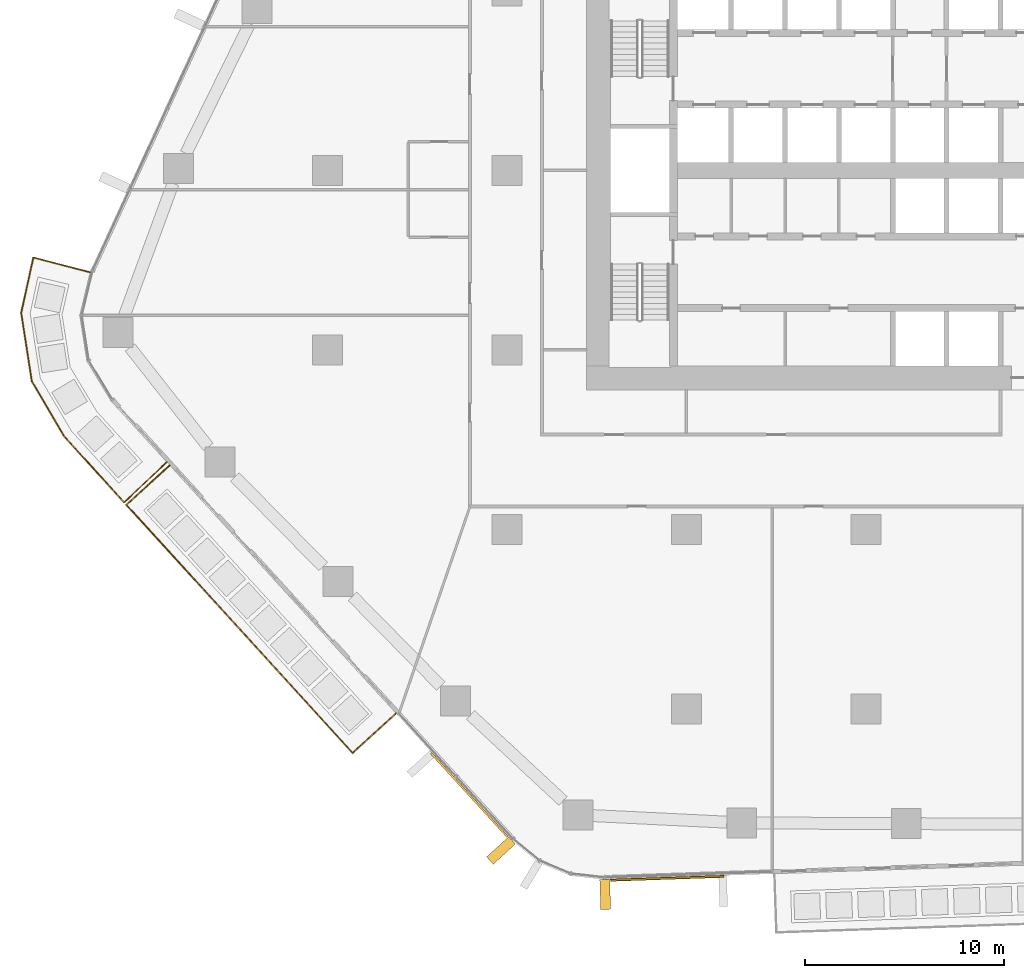
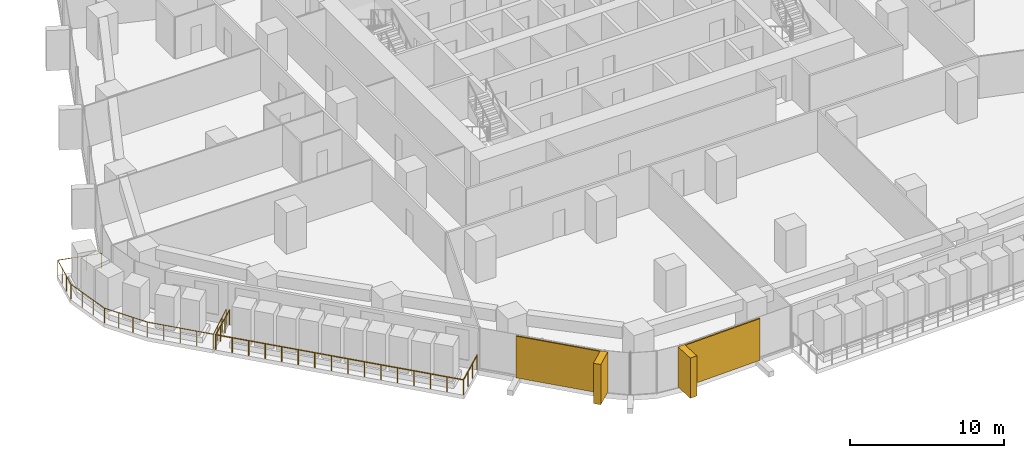
# One storey, part 19 of 26: 4 coverings, 2 railings, 2 elements without a shape of their own.
"""IFC4 building model written with IfcOpenShell, lengths in metres."""

from ifc_helpers import new_model, si_unit, direction, frame, origin, origin_2d, place, context, subcontext, project, spatial, rectangle, circle, extrude, material, layer, layer_set, material_profile, profile_set, type_object, element, aggregate, save


model = new_model("IFC4")

# Units and contexts
model_context = context("Model", 3, precision=1e-05, world=origin(), true_north=direction((0.0, 1.0)))
body_context = subcontext(model_context, "Body", "Model", "MODEL_VIEW")
ifc_project = project(units=[si_unit("LENGTHUNIT", "METRE"), si_unit("AREAUNIT", "SQUARE_METRE"), si_unit("VOLUMEUNIT", "CUBIC_METRE"), si_unit("PLANEANGLEUNIT", "RADIAN"), si_unit("MASSUNIT", "GRAM", prefix="KILO")], contexts=[model_context])

# Site, building, storey
site_placement = place(None, origin())
site = spatial("IfcSite", under=ifc_project, at=site_placement, CompositionType="ELEMENT")
building_placement = place(site_placement, origin())
building = spatial("IfcBuilding", under=site, at=building_placement, Name="Dongbaek Canopy Tower", CompositionType="ELEMENT")
storey_placement = place(building_placement, frame((0.0, 0.0, 69.89990234375)))
storey = spatial("IfcBuildingStorey", under=building, at=storey_placement, Name="L13", CompositionType="ELEMENT", Elevation=69.89990234375)

# Railings
ifc_material_1 = material(Name="Stainless steel", Category="steel")
railing_type = type_object("IfcRailingType", Name="Balcony balustrade 1200", PredefinedType="BALUSTRADE", material=ifc_material_1)
railing_1_placement = place(storey_placement, frame((-34.905517578125, -14.78515625, 0.0)))
element("IfcRailing", 1, at=railing_1_placement, inside=storey, type_object=railing_type, Name="Balcony guard L13 3", PredefinedType="BALUSTRADE", context=body_context, shape_type="SweptSolid", body=[
    extrude(circle(Radius=0.02392578125, at=origin_2d()), frame((0.0, 0.0, 1.17578125), z_axis=(-0.738751516829, -0.673977890129, 0.0), x_axis=(0.673977890129, -0.738751516829, 0.0)), (0.0, 0.0, 1.0), 2.93994140625),
    extrude(circle(Radius=0.02392578125, at=origin_2d()), frame((-2.171875, -1.9814453125, 1.17578125), z_axis=(0.674009340344, -0.738722822938, 0.0), x_axis=(0.738722822938, 0.674009340344, 0.0)), (0.0, 0.0, 1.0), 16.83349609375),
    extrude(circle(Radius=0.02392578125, at=origin_2d()), frame((9.174072265625, -14.416748046875, 1.17578125), z_axis=(0.738751516829, 0.673977890129, 0.0), x_axis=(-0.673977890129, 0.738751516829, 0.0)), (0.0, 0.0, 1.0), 2.93994140625),
    extrude(circle(Radius=0.02099609375, at=origin_2d()), origin(), (0.0, 0.0, 1.0), 1.15185546875),
    extrude(circle(Radius=0.02099609375, at=origin_2d()), frame((-0.723876953125, -0.660400390625, 0.0)), (0.0, 0.0, 1.0), 1.15185546875),
    extrude(circle(Radius=0.02099609375, at=origin_2d()), frame((-1.447998046875, -1.321044921875, 0.0)), (0.0, 0.0, 1.0), 1.15185546875),
    extrude(circle(Radius=0.02099609375, at=origin_2d()), frame((-2.171875, -1.9814453125, 0.0)), (0.0, 0.0, 1.0), 1.15185546875),
    extrude(circle(Radius=0.02099609375, at=origin_2d()), frame((-1.41552734375, -2.810546875, 0.0)), (0.0, 0.0, 1.0), 1.15185546875),
    extrude(circle(Radius=0.02099609375, at=origin_2d()), frame((-0.6591796875, -3.639404296875, 0.0)), (0.0, 0.0, 1.0), 1.15185546875),
    extrude(circle(Radius=0.02099609375, at=origin_2d()), frame((0.097412109375, -4.468505859375, 0.0)), (0.0, 0.0, 1.0), 1.15185546875),
    extrude(circle(Radius=0.02099609375, at=origin_2d()), frame((0.853759765625, -5.297607421875, 0.0)), (0.0, 0.0, 1.0), 1.15185546875),
    extrude(circle(Radius=0.02099609375, at=origin_2d()), frame((1.610107421875, -6.12646484375, 0.0)), (0.0, 0.0, 1.0), 1.15185546875),
    extrude(circle(Radius=0.02099609375, at=origin_2d()), frame((2.366455078125, -6.95556640625, 0.0)), (0.0, 0.0, 1.0), 1.15185546875),
    extrude(circle(Radius=0.02099609375, at=origin_2d()), frame((3.122802734375, -7.78466796875, 0.0)), (0.0, 0.0, 1.0), 1.15185546875),
    extrude(circle(Radius=0.02099609375, at=origin_2d()), frame((3.87939453125, -8.613525390625, 0.0)), (0.0, 0.0, 1.0), 1.15185546875),
    extrude(circle(Radius=0.02099609375, at=origin_2d()), frame((4.6357421875, -9.442626953125, 0.0)), (0.0, 0.0, 1.0), 1.15185546875),
    extrude(circle(Radius=0.02099609375, at=origin_2d()), frame((5.39208984375, -10.271728515625, 0.0)), (0.0, 0.0, 1.0), 1.15185546875),
    extrude(circle(Radius=0.02099609375, at=origin_2d()), frame((6.1484375, -11.1005859375, 0.0)), (0.0, 0.0, 1.0), 1.15185546875),
    extrude(circle(Radius=0.02099609375, at=origin_2d()), frame((6.90478515625, -11.9296875, 0.0)), (0.0, 0.0, 1.0), 1.15185546875),
    extrude(circle(Radius=0.02099609375, at=origin_2d()), frame((7.661376953125, -12.7587890625, 0.0)), (0.0, 0.0, 1.0), 1.15185546875),
    extrude(circle(Radius=0.02099609375, at=origin_2d()), frame((8.417724609375, -13.587646484375, 0.0)), (0.0, 0.0, 1.0), 1.15185546875),
    extrude(circle(Radius=0.02099609375, at=origin_2d()), frame((9.174072265625, -14.416748046875, 0.0)), (0.0, 0.0, 1.0), 1.15185546875),
    extrude(circle(Radius=0.02099609375, at=origin_2d()), frame((9.89794921875, -13.75634765625, 0.0)), (0.0, 0.0, 1.0), 1.15185546875),
    extrude(circle(Radius=0.02099609375, at=origin_2d()), frame((10.6220703125, -13.095703125, 0.0)), (0.0, 0.0, 1.0), 1.15185546875),
    extrude(circle(Radius=0.02099609375, at=origin_2d()), frame((11.345947265625, -12.435302734375, 0.0)), (0.0, 0.0, 1.0), 1.15185546875),
])
railing_2_placement = place(storey_placement, frame((-38.897216796875, -5.109130859375, 0.0)))
element("IfcRailing", 2, at=railing_2_placement, inside=storey, type_object=railing_type, Name="Balcony guard L13 7", PredefinedType="BALUSTRADE", context=body_context, shape_type="SweptSolid", body=[
    extrude(circle(Radius=0.02392578125, at=origin_2d()), frame((0.0, 0.0, 1.17578125), z_axis=(-0.967279624391, 0.253712688365, 0.0), x_axis=(-0.253712688365, -0.967279624391, 0.0)), (0.0, 0.0, 1.0), 2.940673828125),
    extrude(circle(Radius=0.02392578125, at=origin_2d()), frame((-2.844482421875, 0.74609375, 1.17578125), z_axis=(-0.214860147072, -0.976644826536, 0.0), x_axis=(0.976644826536, -0.214860147072, 0.0)), (0.0, 0.0, 1.0), 2.847412109375),
    extrude(circle(Radius=0.02392578125, at=origin_2d()), frame((-3.456298828125, -2.034912109375, 1.17578125), z_axis=(0.15356492792, -0.988138559572, 0.0), x_axis=(0.988138559572, 0.15356492792, 0.0)), (0.0, 0.0, 1.0), 3.46728515625),
    extrude(circle(Radius=0.02392578125, at=origin_2d()), frame((-2.923828125, -5.461181640625, 1.17578125), z_axis=(0.506738590349, -0.862099762818, 0.0), x_axis=(0.862099762818, 0.506738590349, 0.0)), (0.0, 0.0, 1.0), 3.18359375),
    extrude(circle(Radius=0.02392578125, at=origin_2d()), frame((-1.310546875, -8.205810546875, 1.17578125), z_axis=(0.671700008883, -0.74082325697, 0.0), x_axis=(0.74082325697, 0.671700008883, 0.0)), (0.0, 0.0, 1.0), 4.499755859375),
    extrude(circle(Radius=0.02392578125, at=origin_2d()), frame((1.7119140625, -11.539306640625, 1.17578125), z_axis=(0.724812845039, 0.688945817656, 0.0), x_axis=(-0.688945817656, 0.724812845039, 0.0)), (0.0, 0.0, 1.0), 2.9404296875),
    extrude(circle(Radius=0.02099609375, at=origin_2d()), origin(), (0.0, 0.0, 1.0), 1.15185546875),
    extrude(circle(Radius=0.02099609375, at=origin_2d()), frame((-0.9482421875, 0.248779296875, 0.0)), (0.0, 0.0, 1.0), 1.15185546875),
    extrude(circle(Radius=0.02099609375, at=origin_2d()), frame((-1.896240234375, 0.497314453125, 0.0)), (0.0, 0.0, 1.0), 1.15185546875),
    extrude(circle(Radius=0.02099609375, at=origin_2d()), frame((-2.844482421875, 0.74609375, 0.0)), (0.0, 0.0, 1.0), 1.15185546875),
    extrude(circle(Radius=0.02099609375, at=origin_2d()), frame((-3.04833984375, -0.180908203125, 0.0)), (0.0, 0.0, 1.0), 1.15185546875),
    extrude(circle(Radius=0.02099609375, at=origin_2d()), frame((-3.25244140625, -1.10791015625, 0.0)), (0.0, 0.0, 1.0), 1.15185546875),
    extrude(circle(Radius=0.02099609375, at=origin_2d()), frame((-3.456298828125, -2.034912109375, 0.0)), (0.0, 0.0, 1.0), 1.15185546875),
    extrude(circle(Radius=0.02099609375, at=origin_2d()), frame((-3.27880859375, -3.177001953125, 0.0)), (0.0, 0.0, 1.0), 1.15185546875),
    extrude(circle(Radius=0.02099609375, at=origin_2d()), frame((-3.101318359375, -4.319091796875, 0.0)), (0.0, 0.0, 1.0), 1.15185546875),
    extrude(circle(Radius=0.02099609375, at=origin_2d()), frame((-2.923828125, -5.461181640625, 0.0)), (0.0, 0.0, 1.0), 1.15185546875),
    extrude(circle(Radius=0.02099609375, at=origin_2d()), frame((-2.385986328125, -6.3759765625, 0.0)), (0.0, 0.0, 1.0), 1.15185546875),
    extrude(circle(Radius=0.02099609375, at=origin_2d()), frame((-1.848388671875, -7.291015625, 0.0)), (0.0, 0.0, 1.0), 1.15185546875),
    extrude(circle(Radius=0.02099609375, at=origin_2d()), frame((-1.310546875, -8.205810546875, 0.0)), (0.0, 0.0, 1.0), 1.15185546875),
    extrude(circle(Radius=0.02099609375, at=origin_2d()), frame((-0.554931640625, -9.0390625, 0.0)), (0.0, 0.0, 1.0), 1.15185546875),
    extrude(circle(Radius=0.02099609375, at=origin_2d()), frame((0.20068359375, -9.87255859375, 0.0)), (0.0, 0.0, 1.0), 1.15185546875),
    extrude(circle(Radius=0.02099609375, at=origin_2d()), frame((0.956298828125, -10.7060546875, 0.0)), (0.0, 0.0, 1.0), 1.15185546875),
    extrude(circle(Radius=0.02099609375, at=origin_2d()), frame((1.7119140625, -11.539306640625, 0.0)), (0.0, 0.0, 1.0), 1.15185546875),
    extrude(circle(Radius=0.02099609375, at=origin_2d()), frame((2.42236328125, -10.864013671875, 0.0)), (0.0, 0.0, 1.0), 1.15185546875),
    extrude(circle(Radius=0.02099609375, at=origin_2d()), frame((3.1328125, -10.188720703125, 0.0)), (0.0, 0.0, 1.0), 1.15185546875),
    extrude(circle(Radius=0.02099609375, at=origin_2d()), frame((3.84326171875, -9.513427734375, 0.0)), (0.0, 0.0, 1.0), 1.15185546875),
])

# Curtain wall, covering
ifc_material_2 = material(Name="Aluminium 6063-T6 pale anodised", Category="aluminium")
ifc_layer_1 = layer(ifc_material_2, 0.199951171875)
ifc_layer_set_1 = layer_set([ifc_layer_1], Name="CW-1 unitised tower curtain wall")
curtain_wall_type = type_object("IfcCurtainWallType", Name="CW-1 unitised tower curtain wall", PredefinedType="NOTDEFINED", material=ifc_layer_set_1)
curtain_wall_1_placement = place(storey_placement, origin())
curtain_wall_1 = element("IfcCurtainWall", 3, at=curtain_wall_1_placement, inside=storey, type_object=curtain_wall_type, Name="CW-1 curtain wall F3.1", PredefinedType="NOTDEFINED")
ifc_material_3 = material(Name="Perforated aluminium 6063-T6 pale metal screen", Category="aluminium")
ifc_layer_2 = layer(ifc_material_3, 0.10009765625)
ifc_layer_set_2 = layer_set([ifc_layer_2], Name="Facet screen FS1 100 pale metal")
covering_type_1 = type_object("IfcCoveringType", Name="Facet screen FS1 100 pale metal", PredefinedType="CLADDING", material=ifc_layer_set_2)
covering_1_placement = place(storey_placement, frame((-19.8837890625, -31.317138671875, 0.0), z_axis=(0.0, 0.0, 1.0), x_axis=(0.674012344864, -0.738720081608, 0.0)))
covering_1 = element("IfcCovering", 4, at=covering_1_placement, type_object=covering_type_1, Name="Facet screen L13 F3", PredefinedType="CLADDING", context=body_context, shape_type="SweptSolid", body=[
    extrude(rectangle(XDim=5.67138671875, YDim=0.10009765625, at=origin_2d()), origin(), (0.0, 0.0, 1.0), 3.300048828125),
])

curtain_wall_2_placement = place(storey_placement, origin())
curtain_wall_2 = element("IfcCurtainWall", 5, at=curtain_wall_2_placement, inside=storey, type_object=curtain_wall_type, Name="CW-1 curtain wall F4.1", PredefinedType="NOTDEFINED")
covering_2_placement = place(storey_placement, frame((-9.969482421875, -35.49267578125, 0.0), z_axis=(0.0, 0.0, 1.0), x_axis=(0.999424104595, 0.03393315715, 0.0)))
covering_2 = element("IfcCovering", 6, at=covering_2_placement, type_object=covering_type_1, Name="Facet screen L13 F4", PredefinedType="CLADDING", context=body_context, shape_type="SweptSolid", body=[
    extrude(rectangle(XDim=5.67138671875, YDim=0.10009765625, at=origin_2d()), origin(), (0.0, 0.0, 1.0), 3.300048828125),
])

# Covering
ifc_material_4 = material(Name="Aluminium 6063-T6 pale metal fin", Category="aluminium")
ifc_material_profile = material_profile(ifc_material_4, rectangle(XDim=1.5, YDim=0.5, at=origin_2d()), Name="Fin FN1 500 x 1500 pale metal")
ifc_profile_set = profile_set([ifc_material_profile], Name="Aluminium 6063-T6 pale metal fin")
covering_type_2 = type_object("IfcCoveringType", Name="Fin FN1 500 x 1500 pale metal", PredefinedType="CLADDING", material=ifc_profile_set)
covering_3_placement = place(storey_placement, frame((-18.297119140625, -34.1005859375, 0.1201171875), z_axis=(0.0, 0.0, 1.0), x_axis=(-0.738720005108, -0.674012428708, 0.0)))
covering_3 = element("IfcCovering", 7, at=covering_3_placement, type_object=covering_type_2, Name="Fin F3.1.3", PredefinedType="CLADDING", context=body_context, shape_type="SweptSolid", body=[
    extrude(rectangle(XDim=1.5, YDim=0.5, at=origin_2d()), origin(), (0.0, 0.0, 1.0), 3.179931640625),
])

aggregate(curtain_wall_1, [covering_3, covering_1])

covering_4_placement = place(storey_placement, frame((-13.069580078125, -36.30224609375, 0.1201171875), z_axis=(0.0, 0.0, 1.0), x_axis=(0.033932734012, -0.999424118962, 0.0)))
covering_4 = element("IfcCovering", 8, at=covering_4_placement, type_object=covering_type_2, Name="Fin F4.1.1", PredefinedType="CLADDING", context=body_context, shape_type="SweptSolid", body=[
    extrude(rectangle(XDim=1.5, YDim=0.5, at=origin_2d()), origin(), (0.0, 0.0, 1.0), 3.179931640625),
])

aggregate(curtain_wall_2, [covering_4, covering_2])

save(model, "model.ifc")
